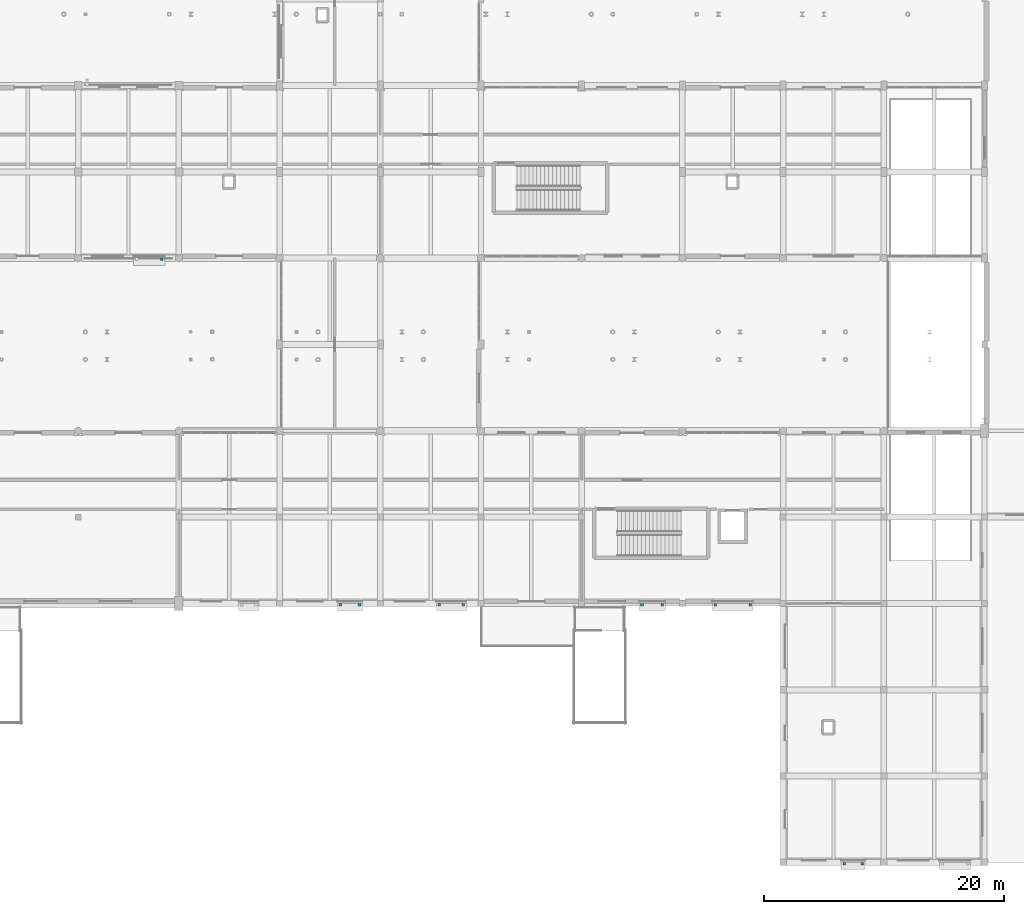
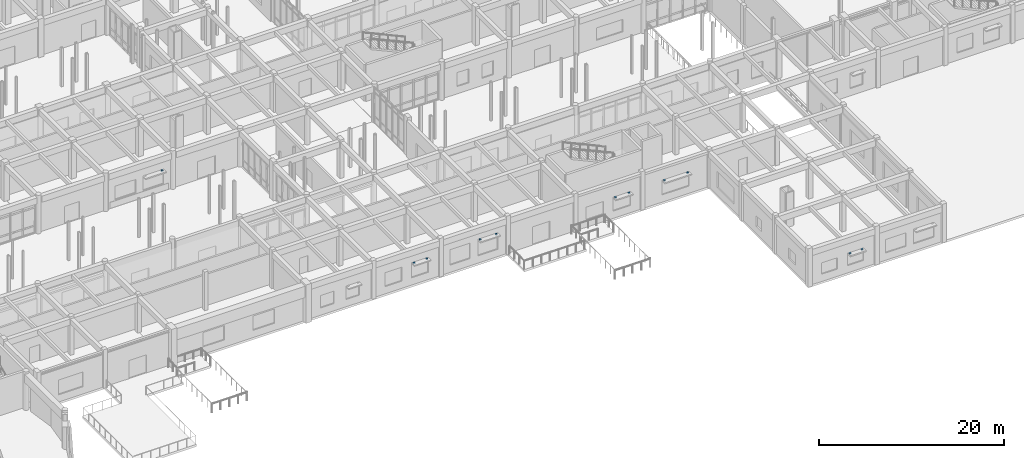
# One storey, part 94 of 121: 11 discrete accessories.
"""IFC4 building model written with IfcOpenShell, lengths in metres."""

from ifc_helpers import new_model, si_unit, direction, frame, origin, origin_2d, place, context, subcontext, project, spatial, rectangle, extrude, material, type_object, element, save


model = new_model("IFC4")

# Units and contexts
model_context = context("Model", 3, precision=1e-05, world=origin(), true_north=direction((0.0, 1.0)))
body_context = subcontext(model_context, "Body", "Model", "MODEL_VIEW")
ifc_project = project(units=[si_unit("LENGTHUNIT", "METRE"), si_unit("AREAUNIT", "SQUARE_METRE"), si_unit("VOLUMEUNIT", "CUBIC_METRE"), si_unit("PLANEANGLEUNIT", "RADIAN"), si_unit("MASSUNIT", "GRAM", prefix="KILO")], contexts=[model_context])

# Site, building, storey
site_placement = place(None, origin())
site = spatial("IfcSite", under=ifc_project, at=site_placement, CompositionType="ELEMENT")
building_placement = place(site_placement, origin())
building = spatial("IfcBuilding", under=site, at=building_placement, Name="Malvenik Polytechnic", CompositionType="ELEMENT")
storey_placement = place(building_placement, origin())
storey = spatial("IfcBuildingStorey", under=building, at=storey_placement, Name="L00", CompositionType="ELEMENT", Elevation=0.0)

# Discrete accessories
ifc_material = material(Name="Stainless steel 1.4401 thermal-break facade bracket", Category="steel")
discrete_accessory_type = type_object("IfcDiscreteAccessoryType", Name="ARC-ACC-BRACKET", PredefinedType="BRACKET", material=ifc_material)
for number, where, z_axis, x_axis, name in (
    (1, (65.783935546875, 50.300048828125, 2.740234375), (0.0, 0.0, 1.0), (1.0, 0.0, 0.0), "Sunshade Facade Bracket BK-01 #2.1"),
    (2, (124.1923828125, -0.10009765625, 2.43994140625), (0.0, 0.0, 1.0), (1.0, 0.0, 0.0), "Sunshade Facade Bracket BK-01 #19.1"),
    (3, (122.6923828125, -0.10009765625, 2.43994140625), (0.0, 0.0, 1.0), (1.0, 0.0, 0.0), "Sunshade Facade Bracket BK-01 #19.2"),
    (4, (114.85009765625, 21.5, 2.740234375), (0.0, 0.0, 1.0), (1.0, 0.0, 0.0), "Sunshade Facade Bracket BK-01 #20.1"),
    (5, (111.949951171875, 21.5, 2.740234375), (0.0, 0.0, 1.0), (1.0, 0.0, 0.0), "Sunshade Facade Bracket BK-01 #20.2"),
    (6, (107.533935546875, 21.5, 2.64013671875), (0.0, 0.0, 1.0), (1.0, 0.0, 0.0), "Sunshade Facade Bracket BK-01 #21.1"),
    (7, (105.833984375, 21.5, 2.64013671875), (0.0, 0.0, 1.0), (1.0, 0.0, 0.0), "Sunshade Facade Bracket BK-01 #21.2"),
    (8, (90.93408203125, 21.5, 2.990234375), (0.0, 0.0, 1.0), (1.0, 0.0, 0.0), "Sunshade Facade Bracket BK-01 #22.1"),
    (9, (88.93408203125, 21.5, 2.990234375), (0.0, 0.0, 1.0), (1.0, 0.0, 0.0), "Sunshade Facade Bracket BK-01 #22.2"),
    (10, (82.267333984375, 21.5, 2.7900390625), (0.0, 0.0, 1.0), (1.0, 0.0, 0.0), "Sunshade Facade Bracket BK-01 #23.1"),
    (11, (80.667236328125, 21.5, 2.7900390625), (0.0, 0.0, 1.0), (1.0, 0.0, 0.0), "Sunshade Facade Bracket BK-01 #23.2"),
):
    element("IfcDiscreteAccessory", number, at=place(storey_placement, frame(where, z_axis=z_axis, x_axis=x_axis)), inside=storey, type_object=discrete_accessory_type, Name=name, PredefinedType="BRACKET", context=body_context, shape_type="SweptSolid", body=[
        extrude(rectangle(XDim=0.219970703125, YDim=0.219970703125, at=origin_2d()), origin(), (0.0, 0.0, 1.0), 0.179931640625),
    ])

save(model, "model.ifc")
